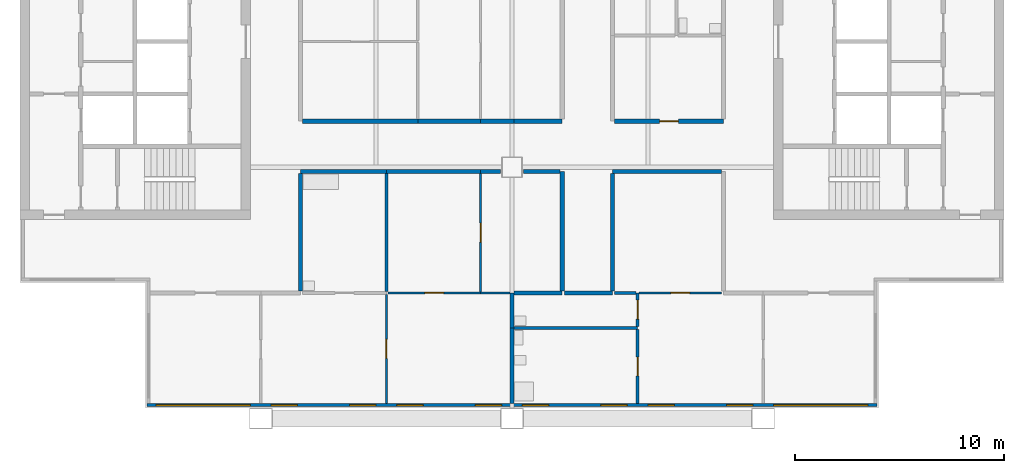
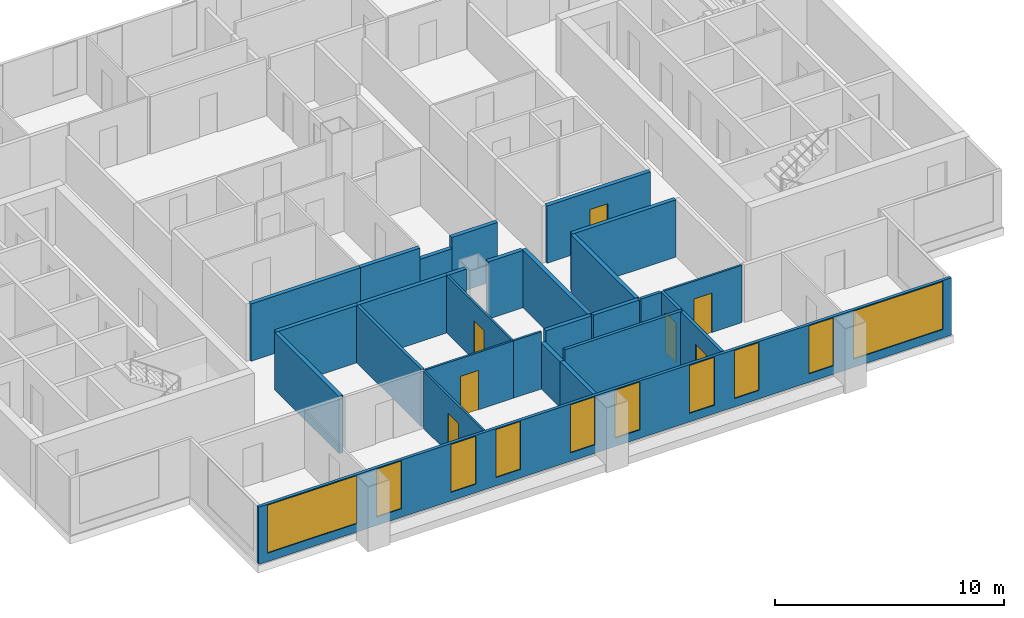
# One storey, part 2 of 9: 28 walls, 10 windows, 7 doors, 17 openings.
"""IFC4 building model written with IfcOpenShell, lengths in metres."""

from ifc_helpers import new_model, si_unit, direction, frame, frame_2d, origin, place, context, subcontext, project, spatial, rectangle, extrude, material, layer, layer_set, type_object, element, fill, save


model = new_model("IFC4")

# Units and contexts
model_context = context("Model", 3, precision=1e-05, world=origin(), true_north=direction((0.0, 1.0)))
body_context = subcontext(model_context, "Body", "Model", "MODEL_VIEW")
ifc_project = project(units=[si_unit("LENGTHUNIT", "METRE"), si_unit("AREAUNIT", "SQUARE_METRE"), si_unit("VOLUMEUNIT", "CUBIC_METRE"), si_unit("PLANEANGLEUNIT", "RADIAN"), si_unit("MASSUNIT", "GRAM", prefix="KILO")], contexts=[model_context])

# Site, building, storey
site_placement = place(None, origin())
site = spatial("IfcSite", under=ifc_project, at=site_placement, CompositionType="ELEMENT")
building_placement = place(site_placement, origin())
building = spatial("IfcBuilding", under=site, at=building_placement, Name="Kitamizu Gate Tower and Museum", CompositionType="ELEMENT")
storey_placement = place(building_placement, frame((0.0, 0.0, 221.39990234375)))
storey = spatial("IfcBuildingStorey", under=building, at=storey_placement, Name="L59", CompositionType="ELEMENT", Elevation=221.39990234375)

# Wall, opening, door
ifc_material_1 = material(Name="Gypsum board on galvanised stud")
ifc_layer_1 = layer(ifc_material_1, 0.10009765625)
ifc_layer_set_1 = layer_set([ifc_layer_1], Name="Gypsum board on galvanised stud")
wall_type_1 = type_object("IfcWallType", Name="Partition 100 NOT RATED", PredefinedType="PARTITIONING", material=ifc_layer_set_1)
wall_1_placement = place(storey_placement, frame((30.0, 12.719970703125, 0.0), z_axis=(0.0, 0.0, 1.0), x_axis=(0.0, 1.0, 0.0)))
wall_1 = element("IfcWall", 1, at=wall_1_placement, inside=storey, type_object=wall_type_1, Name="Partition L59-003", PredefinedType="PARTITIONING", context=body_context, shape_type="SweptSolid", body=[
    extrude(rectangle(XDim=5.205078125, YDim=0.10009765625, at=frame_2d((2.6025390625, 0.0))), origin(), (0.0, 0.0, 1.0), 3.050048828125),
])
opening_1_placement = place(wall_1_placement, frame((2.152587890625, 0.0, 0.0)))
opening_1 = element("IfcOpeningElement", 2, at=opening_1_placement, cuts=wall_1, Name="Opening L59-003", PredefinedType="OPENING", context=body_context, shape_type="SweptSolid", body=[
    extrude(rectangle(XDim=0.89990234375, YDim=2.10009765625, at=frame_2d((0.449951171875, 1.050048828125))), frame((0.0, 0.06005859375, 0.0), z_axis=(0.0, -1.0, 0.0), x_axis=(1.0, 0.0, 0.0)), (0.0, 0.0, 1.0), 0.1201171875),
])
ifc_material_2 = material(Name="Timber door set", Category="wood")
door_type_1 = type_object("IfcDoorType", Name="Room door 900", OperationType="NOTDEFINED", PredefinedType="DOOR", material=ifc_material_2)
door_1_placement = place(opening_1_placement, origin())
door_1 = element("IfcDoor", 3, at=door_1_placement, inside=storey, type_object=door_type_1, Name="Door L59-003", OperationType="SINGLE_SWING_RIGHT", OverallHeight=2.10009765625, OverallWidth=0.89990234375, PredefinedType="DOOR", context=body_context, shape_type="SweptSolid", body=[
    extrude(rectangle(XDim=0.89990234375, YDim=2.10009765625, at=frame_2d((0.449951171875, 1.050048828125))), frame((0.0, 0.02490234375, 0.0), z_axis=(0.0, -1.0, 0.0), x_axis=(1.0, 0.0, 0.0)), (0.0, 0.0, 1.0), 0.050048828125),
])
fill(opening_1, door_1)

wall_2_placement = place(storey_placement, frame((34.5, 18.0, 0.0), z_axis=(0.0, 0.0, 1.0), x_axis=(-1.0, 0.0, 0.0)))
wall_2 = element("IfcWall", 4, at=wall_2_placement, inside=storey, type_object=wall_type_1, Name="Partition L59-006", PredefinedType="PARTITIONING", context=body_context, shape_type="SweptSolid", body=[
    extrude(rectangle(XDim=4.425048828125, YDim=0.10009765625, at=frame_2d((2.21240234375, 0.0))), origin(), (0.0, 0.0, 1.0), 3.050048828125),
])
opening_2_placement = place(wall_2_placement, frame((1.762451171875, 0.0, 0.0)))
opening_2 = element("IfcOpeningElement", 5, at=opening_2_placement, cuts=wall_2, Name="Opening L59-005", PredefinedType="OPENING", context=body_context, shape_type="SweptSolid", body=[
    extrude(rectangle(XDim=0.89990234375, YDim=2.10009765625, at=frame_2d((0.449951171875, 1.050048828125))), frame((0.0, 0.06005859375, 0.0), z_axis=(0.0, -1.0, 0.0), x_axis=(1.0, 0.0, 0.0)), (0.0, 0.0, 1.0), 0.1201171875),
])
door_2_placement = place(opening_2_placement, frame((0.89990234375, 0.0, 0.0), x_axis=(-1.0, 0.0, 0.0)))
door_2 = element("IfcDoor", 6, at=door_2_placement, inside=storey, type_object=door_type_1, Name="Door L59-005", OperationType="SINGLE_SWING_LEFT", OverallHeight=2.10009765625, OverallWidth=0.89990234375, PredefinedType="DOOR", context=body_context, shape_type="SweptSolid", body=[
    extrude(rectangle(XDim=0.89990234375, YDim=2.10009765625, at=frame_2d((0.449951171875, 1.050048828125))), frame((0.0, 0.02490234375, 0.0), z_axis=(0.0, -1.0, 0.0), x_axis=(1.0, 0.0, 0.0)), (0.0, 0.0, 1.0), 0.050048828125),
])
fill(opening_2, door_2)

# Wall
wall_3_placement = place(storey_placement, frame((35.89990234375, 18.0, 0.0), z_axis=(0.0, 0.0, 1.0), x_axis=(-1.0, 0.0, 0.0)))
element("IfcWall", 7, at=wall_3_placement, inside=storey, type_object=wall_type_1, Name="Partition L59-007", PredefinedType="PARTITIONING", context=body_context, shape_type="SweptSolid", body=[
    extrude(rectangle(XDim=1.39990234375, YDim=0.10009765625, at=frame_2d((0.699951171875, 0.0))), origin(), (0.0, 0.0, 1.0), 3.050048828125),
])

# Wall, opening, door
wall_4_placement = place(storey_placement, frame((34.5, 18.050048828125, 0.0), z_axis=(0.0, 0.0, 1.0), x_axis=(0.0, 1.0, 0.0)))
wall_4 = element("IfcWall", 8, at=wall_4_placement, inside=storey, type_object=wall_type_1, Name="Partition L59-013", PredefinedType="PARTITIONING", context=body_context, shape_type="SweptSolid", body=[
    extrude(rectangle(XDim=5.64990234375, YDim=0.10009765625, at=frame_2d((2.824951171875, 0.0))), origin(), (0.0, 0.0, 1.0), 3.050048828125),
])
opening_3_placement = place(wall_4_placement, frame((2.375, 0.0, 0.0)))
opening_3 = element("IfcOpeningElement", 9, at=opening_3_placement, cuts=wall_4, Name="Opening L59-006", PredefinedType="OPENING", context=body_context, shape_type="SweptSolid", body=[
    extrude(rectangle(XDim=0.89990234375, YDim=2.10009765625, at=frame_2d((0.449951171875, 1.050048828125))), frame((0.0, 0.06005859375, 0.0), z_axis=(0.0, -1.0, 0.0), x_axis=(1.0, 0.0, 0.0)), (0.0, 0.0, 1.0), 0.1201171875),
])
door_3_placement = place(opening_3_placement, frame((0.89990234375, 0.0, 0.0), x_axis=(-1.0, 0.0, 0.0)))
door_3 = element("IfcDoor", 10, at=door_3_placement, inside=storey, type_object=door_type_1, Name="Door L59-006", OperationType="SINGLE_SWING_RIGHT", OverallHeight=2.10009765625, OverallWidth=0.89990234375, PredefinedType="DOOR", context=body_context, shape_type="SweptSolid", body=[
    extrude(rectangle(XDim=0.89990234375, YDim=2.10009765625, at=frame_2d((0.449951171875, 1.050048828125))), frame((0.0, 0.02490234375, 0.0), z_axis=(0.0, -1.0, 0.0), x_axis=(1.0, 0.0, 0.0)), (0.0, 0.0, 1.0), 0.050048828125),
])
fill(opening_3, door_3)

wall_5_placement = place(storey_placement, frame((46.0, 18.0, 0.0), z_axis=(0.0, 0.0, 1.0), x_axis=(-1.0, 0.0, 0.0)))
wall_5 = element("IfcWall", 11, at=wall_5_placement, inside=storey, type_object=wall_type_1, Name="Partition L59-025", PredefinedType="PARTITIONING", context=body_context, shape_type="SweptSolid", body=[
    extrude(rectangle(XDim=3.925048828125, YDim=0.10009765625, at=frame_2d((1.96240234375, 0.0))), origin(), (0.0, 0.0, 1.0), 3.050048828125),
])
opening_4_placement = place(wall_5_placement, frame((1.512451171875, 0.0, 0.0)))
opening_4 = element("IfcOpeningElement", 12, at=opening_4_placement, cuts=wall_5, Name="Opening L59-009", PredefinedType="OPENING", context=body_context, shape_type="SweptSolid", body=[
    extrude(rectangle(XDim=0.89990234375, YDim=2.10009765625, at=frame_2d((0.449951171875, 1.050048828125))), frame((0.0, 0.06005859375, 0.0), z_axis=(0.0, -1.0, 0.0), x_axis=(1.0, 0.0, 0.0)), (0.0, 0.0, 1.0), 0.1201171875),
])
door_4_placement = place(opening_4_placement, frame((0.89990234375, 0.0, 0.0), x_axis=(-1.0, 0.0, 0.0)))
door_4 = element("IfcDoor", 13, at=door_4_placement, inside=storey, type_object=door_type_1, Name="Door L59-009", OperationType="SINGLE_SWING_LEFT", OverallHeight=2.10009765625, OverallWidth=0.89990234375, PredefinedType="DOOR", context=body_context, shape_type="SweptSolid", body=[
    extrude(rectangle(XDim=0.89990234375, YDim=2.10009765625, at=frame_2d((0.449951171875, 1.050048828125))), frame((0.0, 0.02490234375, 0.0), z_axis=(0.0, -1.0, 0.0), x_axis=(1.0, 0.0, 0.0)), (0.0, 0.0, 1.0), 0.050048828125),
])
fill(opening_4, door_4)

# Walls
ifc_material_3 = material(Name="Gypsum board on galvanised stud")
ifc_layer_2 = layer(ifc_material_3, 0.14990234375)
ifc_layer_set_2 = layer_set([ifc_layer_2], Name="Gypsum board on galvanised stud")
wall_type_2 = type_object("IfcWallType", Name="Partition 150", PredefinedType="PARTITIONING", material=ifc_layer_set_2)
wall_6_placement = place(storey_placement, frame((30.0, 18.074951171875, 0.0), z_axis=(0.0, 0.0, 1.0), x_axis=(0.0, 1.0, 0.0)))
element("IfcWall", 14, at=wall_6_placement, inside=storey, type_object=wall_type_2, Name="Partition L59-010", PredefinedType="PARTITIONING", context=body_context, shape_type="SweptSolid", body=[
    extrude(rectangle(XDim=5.625, YDim=0.14990234375, at=frame_2d((2.8125, 0.0))), origin(), (0.0, 0.0, 1.0), 3.050048828125),
])
wall_7_placement = place(storey_placement, frame((42.0, 16.320068359375, 0.0), z_axis=(0.0, 0.0, 1.0), x_axis=(-1.0, 0.0, 0.0)))
element("IfcWall", 15, at=wall_7_placement, inside=storey, type_object=wall_type_2, Name="Partition L59-019", PredefinedType="PARTITIONING", context=body_context, shape_type="SweptSolid", body=[
    extrude(rectangle(XDim=5.89990234375, YDim=0.14990234375, at=frame_2d((2.949951171875, 0.0))), origin(), (0.0, 0.0, 1.0), 3.050048828125),
])

# Wall, opening, door
wall_8_placement = place(storey_placement, frame((42.0, 12.719970703125, 0.0), z_axis=(0.0, 0.0, 1.0), x_axis=(0.0, 1.0, 0.0)))
wall_8 = element("IfcWall", 16, at=wall_8_placement, inside=storey, type_object=wall_type_2, Name="Partition L59-020", PredefinedType="PARTITIONING", context=body_context, shape_type="SweptSolid", body=[
    extrude(rectangle(XDim=3.525146484375, YDim=0.14990234375, at=frame_2d((1.7626953125, 0.0))), origin(), (0.0, 0.0, 1.0), 3.050048828125),
])
opening_5_placement = place(wall_8_placement, frame((1.3125, 0.0, 0.0)))
opening_5 = element("IfcOpeningElement", 17, at=opening_5_placement, cuts=wall_8, Name="Opening L59-010", PredefinedType="OPENING", context=body_context, shape_type="SweptSolid", body=[
    extrude(rectangle(XDim=0.89990234375, YDim=2.10009765625, at=frame_2d((0.449951171875, 1.050048828125))), frame((0.0, 0.0849609375, 0.0), z_axis=(0.0, -1.0, 0.0), x_axis=(1.0, 0.0, 0.0)), (0.0, 0.0, 1.0), 0.169921875),
])
ifc_material_4 = material(Name="Timber door set", Category="wood")
door_type_2 = type_object("IfcDoorType", Name="Bathroom door 900", OperationType="NOTDEFINED", PredefinedType="DOOR", material=ifc_material_4)
door_5_placement = place(opening_5_placement, origin())
door_5 = element("IfcDoor", 18, at=door_5_placement, inside=storey, type_object=door_type_2, Name="Bathroom door L59-010", OperationType="SINGLE_SWING_LEFT", OverallHeight=2.10009765625, OverallWidth=0.89990234375, PredefinedType="DOOR", context=body_context, shape_type="SweptSolid", body=[
    extrude(rectangle(XDim=0.89990234375, YDim=2.10009765625, at=frame_2d((0.449951171875, 1.050048828125))), frame((0.0, 0.02490234375, 0.0), z_axis=(0.0, -1.0, 0.0), x_axis=(1.0, 0.0, 0.0)), (0.0, 0.0, 1.0), 0.050048828125),
])
fill(opening_5, door_5)

wall_9_placement = place(storey_placement, frame((42.0, 16.39501953125, 0.0), z_axis=(0.0, 0.0, 1.0), x_axis=(0.0, 1.0, 0.0)))
wall_9 = element("IfcWall", 19, at=wall_9_placement, inside=storey, type_object=wall_type_2, Name="Partition L59-021", PredefinedType="PARTITIONING", context=body_context, shape_type="SweptSolid", body=[
    extrude(rectangle(XDim=1.60498046875, YDim=0.14990234375, at=frame_2d((0.802490234375, 0.0))), origin(), (0.0, 0.0, 1.0), 3.050048828125),
])
opening_6_placement = place(wall_9_placement, frame((0.3525390625, 0.0, 0.0)))
opening_6 = element("IfcOpeningElement", 20, at=opening_6_placement, cuts=wall_9, Name="Opening L59-011", PredefinedType="OPENING", context=body_context, shape_type="SweptSolid", body=[
    extrude(rectangle(XDim=0.89990234375, YDim=2.10009765625, at=frame_2d((0.449951171875, 1.050048828125))), frame((0.0, 0.0849609375, 0.0), z_axis=(0.0, -1.0, 0.0), x_axis=(1.0, 0.0, 0.0)), (0.0, 0.0, 1.0), 0.169921875),
])
door_6_placement = place(opening_6_placement, origin())
door_6 = element("IfcDoor", 21, at=door_6_placement, inside=storey, type_object=door_type_2, Name="Bathroom door L59-011", OperationType="SINGLE_SWING_RIGHT", OverallHeight=2.10009765625, OverallWidth=0.89990234375, PredefinedType="DOOR", context=body_context, shape_type="SweptSolid", body=[
    extrude(rectangle(XDim=0.89990234375, YDim=2.10009765625, at=frame_2d((0.449951171875, 1.050048828125))), frame((0.0, 0.02490234375, 0.0), z_axis=(0.0, -1.0, 0.0), x_axis=(1.0, 0.0, 0.0)), (0.0, 0.0, 1.0), 0.050048828125),
])
fill(opening_6, door_6)

# Walls
wall_10_placement = place(storey_placement, frame((41.925048828125, 18.0, 0.0), z_axis=(0.0, 0.0, 1.0), x_axis=(-1.0, 0.0, 0.0)))
element("IfcWall", 22, at=wall_10_placement, inside=storey, type_object=wall_type_2, Name="Partition L59-022", PredefinedType="PARTITIONING", context=body_context, shape_type="SweptSolid", body=[
    extrude(rectangle(XDim=1.025146484375, YDim=0.14990234375, at=frame_2d((0.5126953125, 0.0))), origin(), (0.0, 0.0, 1.0), 3.050048828125),
])
ifc_material_5 = material(Name="Gypsum board on galvanised stud")
ifc_layer_3 = layer(ifc_material_5, 0.199951171875)
ifc_layer_set_3 = layer_set([ifc_layer_3], Name="Gypsum board on galvanised stud")
wall_type_3 = type_object("IfcWallType", Name="Partition 200", PredefinedType="PARTITIONING", material=ifc_layer_set_3)
wall_11_placement = place(storey_placement, frame((36.0, 12.719970703125, 0.0), z_axis=(0.0, 0.0, 1.0), x_axis=(0.0, 1.0, 0.0)))
element("IfcWall", 23, at=wall_11_placement, inside=storey, type_object=wall_type_3, Name="Partition L59-008", PredefinedType="PARTITIONING", context=body_context, shape_type="SweptSolid", body=[
    extrude(rectangle(XDim=3.60009765625, YDim=0.199951171875, at=frame_2d((1.800048828125, 0.0))), origin(), (0.0, 0.0, 1.0), 2.4501953125),
])
wall_12_placement = place(storey_placement, frame((36.0, 16.320068359375, 0.0), z_axis=(0.0, 0.0, 1.0), x_axis=(0.0, 1.0, 0.0)))
element("IfcWall", 24, at=wall_12_placement, inside=storey, type_object=wall_type_3, Name="Partition L59-009", PredefinedType="PARTITIONING", context=body_context, shape_type="SweptSolid", body=[
    extrude(rectangle(XDim=1.679931640625, YDim=0.199951171875, at=frame_2d((0.83984375, 0.0))), origin(), (0.0, 0.0, 1.0), 2.4501953125),
])
wall_13_placement = place(storey_placement, frame((30.0, 23.800048828125, 0.0), z_axis=(0.0, 0.0, 1.0), x_axis=(-1.0, 0.0, 0.0)))
element("IfcWall", 25, at=wall_13_placement, inside=storey, type_object=wall_type_3, Name="Partition L59-011", PredefinedType="PARTITIONING", context=body_context, shape_type="SweptSolid", body=[
    extrude(rectangle(XDim=4.10009765625, YDim=0.199951171875, at=frame_2d((2.050048828125, 0.0))), origin(), (0.0, 0.0, 1.0), 3.050048828125),
])
wall_14_placement = place(storey_placement, frame((25.89990234375, 23.699951171875, 0.0), z_axis=(0.0, 0.0, 1.0), x_axis=(0.0, -1.0, 0.0)))
element("IfcWall", 26, at=wall_14_placement, inside=storey, type_object=wall_type_3, Name="Partition L59-012", PredefinedType="PARTITIONING", context=body_context, shape_type="SweptSolid", body=[
    extrude(rectangle(XDim=5.599853515625, YDim=0.199951171875, at=frame_2d((2.7998046875, 0.0))), origin(), (0.0, 0.0, 1.0), 3.050048828125),
])
wall_15_placement = place(storey_placement, frame((34.5, 23.800048828125, 0.0), z_axis=(0.0, 0.0, 1.0), x_axis=(-1.0, 0.0, 0.0)))
element("IfcWall", 27, at=wall_15_placement, inside=storey, type_object=wall_type_3, Name="Partition L59-014", PredefinedType="PARTITIONING", context=body_context, shape_type="SweptSolid", body=[
    extrude(rectangle(XDim=4.5, YDim=0.199951171875, at=frame_2d((2.25, 0.0))), origin(), (0.0, 0.0, 1.0), 3.050048828125),
])
wall_16_placement = place(storey_placement, frame((36.10009765625, 18.0, 0.0), z_axis=(0.0, 0.0, 1.0), x_axis=(1.0, 0.0, 0.0)))
element("IfcWall", 28, at=wall_16_placement, inside=storey, type_object=wall_type_3, Name="Partition L59-015", PredefinedType="PARTITIONING", context=body_context, shape_type="SweptSolid", body=[
    extrude(rectangle(XDim=2.2998046875, YDim=0.199951171875, at=frame_2d((1.14990234375, 0.0))), origin(), (0.0, 0.0, 1.0), 3.050048828125),
])
wall_17_placement = place(storey_placement, frame((35.449951171875, 23.800048828125, 0.0), z_axis=(0.0, 0.0, 1.0), x_axis=(-1.0, 0.0, 0.0)))
element("IfcWall", 29, at=wall_17_placement, inside=storey, type_object=wall_type_3, Name="Partition L59-016", PredefinedType="PARTITIONING", context=body_context, shape_type="SweptSolid", body=[
    extrude(rectangle(XDim=0.949951171875, YDim=0.199951171875, at=frame_2d((0.47509765625, 0.0))), origin(), (0.0, 0.0, 1.0), 3.050048828125),
])
wall_18_placement = place(storey_placement, frame((38.39990234375, 18.10009765625, 0.0), z_axis=(0.0, 0.0, 1.0), x_axis=(0.0, 1.0, 0.0)))
element("IfcWall", 30, at=wall_18_placement, inside=storey, type_object=wall_type_3, Name="Partition L59-017", PredefinedType="PARTITIONING", context=body_context, shape_type="SweptSolid", body=[
    extrude(rectangle(XDim=5.699951171875, YDim=0.199951171875, at=frame_2d((2.85009765625, 0.0))), origin(), (0.0, 0.0, 1.0), 3.050048828125),
])
wall_19_placement = place(storey_placement, frame((38.300048828125, 23.800048828125, 0.0), z_axis=(0.0, 0.0, 1.0), x_axis=(-1.0, 0.0, 0.0)))
element("IfcWall", 31, at=wall_19_placement, inside=storey, type_object=wall_type_3, Name="Partition L59-018", PredefinedType="PARTITIONING", context=body_context, shape_type="SweptSolid", body=[
    extrude(rectangle(XDim=1.75, YDim=0.199951171875, at=frame_2d((0.875, 0.0))), origin(), (0.0, 0.0, 1.0), 3.050048828125),
])
wall_20_placement = place(storey_placement, frame((40.800048828125, 18.0, 0.0), z_axis=(0.0, 0.0, 1.0), x_axis=(-1.0, 0.0, 0.0)))
element("IfcWall", 32, at=wall_20_placement, inside=storey, type_object=wall_type_3, Name="Partition L59-023", PredefinedType="PARTITIONING", context=body_context, shape_type="SweptSolid", body=[
    extrude(rectangle(XDim=2.300048828125, YDim=0.199951171875, at=frame_2d((1.14990234375, 0.0))), origin(), (0.0, 0.0, 1.0), 3.050048828125),
])
wall_21_placement = place(storey_placement, frame((46.0, 23.800048828125, 0.0), z_axis=(0.0, 0.0, 1.0), x_axis=(-1.0, 0.0, 0.0)))
element("IfcWall", 33, at=wall_21_placement, inside=storey, type_object=wall_type_3, Name="Partition L59-029", PredefinedType="PARTITIONING", context=body_context, shape_type="SweptSolid", body=[
    extrude(rectangle(XDim=5.199951171875, YDim=0.199951171875, at=frame_2d((2.60009765625, 0.0))), origin(), (0.0, 0.0, 1.0), 3.050048828125),
])
wall_22_placement = place(storey_placement, frame((40.800048828125, 23.699951171875, 0.0), z_axis=(0.0, 0.0, 1.0), x_axis=(0.0, -1.0, 0.0)))
element("IfcWall", 34, at=wall_22_placement, inside=storey, type_object=wall_type_3, Name="Partition L59-030", PredefinedType="PARTITIONING", context=body_context, shape_type="SweptSolid", body=[
    extrude(rectangle(XDim=5.599853515625, YDim=0.199951171875, at=frame_2d((2.7998046875, 0.0))), origin(), (0.0, 0.0, 1.0), 3.050048828125),
])
wall_23_placement = place(storey_placement, frame((26.0, 26.199951171875, 0.0), z_axis=(0.0, 0.0, 1.0), x_axis=(1.0, 0.0, 0.0)))
element("IfcWall", 35, at=wall_23_placement, inside=storey, type_object=wall_type_3, Name="Partition L59-063", PredefinedType="PARTITIONING", context=body_context, shape_type="SweptSolid", body=[
    extrude(rectangle(XDim=5.5, YDim=0.199951171875, at=frame_2d((2.75, 0.0))), origin(), (0.0, 0.0, 1.0), 3.050048828125),
])
wall_24_placement = place(storey_placement, frame((31.5, 26.199951171875, 0.0), z_axis=(0.0, 0.0, 1.0), x_axis=(1.0, 0.0, 0.0)))
element("IfcWall", 36, at=wall_24_placement, inside=storey, type_object=wall_type_3, Name="Partition L59-067", PredefinedType="PARTITIONING", context=body_context, shape_type="SweptSolid", body=[
    extrude(rectangle(XDim=3.0, YDim=0.199951171875, at=frame_2d((1.5, 0.0))), origin(), (0.0, 0.0, 1.0), 3.050048828125),
])
wall_25_placement = place(storey_placement, frame((34.5, 26.199951171875, 0.0), z_axis=(0.0, 0.0, 1.0), x_axis=(1.0, 0.0, 0.0)))
element("IfcWall", 37, at=wall_25_placement, inside=storey, type_object=wall_type_3, Name="Partition L59-068", PredefinedType="PARTITIONING", context=body_context, shape_type="SweptSolid", body=[
    extrude(rectangle(XDim=1.60009765625, YDim=0.199951171875, at=frame_2d((0.800048828125, 0.0))), origin(), (0.0, 0.0, 1.0), 2.4501953125),
])
wall_26_placement = place(storey_placement, frame((36.10009765625, 26.199951171875, 0.0), z_axis=(0.0, 0.0, 1.0), x_axis=(1.0, 0.0, 0.0)))
element("IfcWall", 38, at=wall_26_placement, inside=storey, type_object=wall_type_3, Name="Partition L59-069", PredefinedType="PARTITIONING", context=body_context, shape_type="SweptSolid", body=[
    extrude(rectangle(XDim=2.2998046875, YDim=0.199951171875, at=frame_2d((1.14990234375, 0.0))), origin(), (0.0, 0.0, 1.0), 3.050048828125),
])

# Wall, opening, door
wall_27_placement = place(storey_placement, frame((40.89990234375, 26.199951171875, 0.0), z_axis=(0.0, 0.0, 1.0), x_axis=(1.0, 0.0, 0.0)))
wall_27 = element("IfcWall", 39, at=wall_27_placement, inside=storey, type_object=wall_type_3, Name="Partition L59-093", PredefinedType="PARTITIONING", context=body_context, shape_type="SweptSolid", body=[
    extrude(rectangle(XDim=5.2001953125, YDim=0.199951171875, at=frame_2d((2.60009765625, 0.0))), origin(), (0.0, 0.0, 1.0), 3.050048828125),
])
opening_7_placement = place(wall_27_placement, frame((2.14990234375, 0.0, 0.0)))
opening_7 = element("IfcOpeningElement", 40, at=opening_7_placement, cuts=wall_27, Name="Opening L59-033", PredefinedType="OPENING", context=body_context, shape_type="SweptSolid", body=[
    extrude(rectangle(XDim=0.89990234375, YDim=2.10009765625, at=frame_2d((0.449951171875, 1.050048828125))), frame((0.0, 0.10986328125, 0.0), z_axis=(0.0, -1.0, 0.0), x_axis=(1.0, 0.0, 0.0)), (0.0, 0.0, 1.0), 0.219970703125),
])
ifc_material_6 = material(Name="Timber door set", Category="wood")
door_type_3 = type_object("IfcDoorType", Name="Store door 900", OperationType="NOTDEFINED", PredefinedType="DOOR", material=ifc_material_6)
door_7_placement = place(opening_7_placement, origin())
door_7 = element("IfcDoor", 41, at=door_7_placement, inside=storey, type_object=door_type_3, Name="Service entrance door L59-033", OperationType="SINGLE_SWING_LEFT", OverallHeight=2.10009765625, OverallWidth=0.89990234375, PredefinedType="DOOR", context=body_context, shape_type="SweptSolid", body=[
    extrude(rectangle(XDim=0.89990234375, YDim=2.10009765625, at=frame_2d((0.449951171875, 1.050048828125))), frame((0.0, 0.02490234375, 0.0), z_axis=(0.0, -1.0, 0.0), x_axis=(1.0, 0.0, 0.0)), (0.0, 0.0, 1.0), 0.050048828125),
])
fill(opening_7, door_7)

# Wall, openings, windows
ifc_material_7 = material(Name="Bronze anodised aluminium frame with insulated spandrel and tinted glass", Category="aluminium")
ifc_layer_4 = layer(ifc_material_7, 0.14990234375)
ifc_layer_set_4 = layer_set([ifc_layer_4], Name="Bronze anodised aluminium frame with insulated spandrel and tinted glass")
wall_type_4 = type_object("IfcWallType", Name="WINDOW WALL 150 BRONZE FRAME EI 30", PredefinedType="ELEMENTEDWALL", material=ifc_layer_set_4)
wall_28_placement = place(storey_placement, frame((18.56005859375, 12.635009765625, 0.0), z_axis=(0.0, 0.0, 1.0), x_axis=(1.0, 0.0, 0.0)))
wall_28 = element("IfcWall", 42, at=wall_28_placement, inside=storey, type_object=wall_type_4, Name="Window wall south L59", PredefinedType="ELEMENTEDWALL", context=body_context, shape_type="SweptSolid", body=[
    extrude(rectangle(XDim=34.8798828125, YDim=0.14990234375, at=frame_2d((17.43994140625, 0.0))), origin(), (0.0, 0.0, 1.0), 3.050048828125),
])
opening_8_placement = place(wall_28_placement, frame((0.43994140625, 0.0, 0.449951171875)))
opening_8 = element("IfcOpeningElement", 43, at=opening_8_placement, cuts=wall_28, Name="Opening W15", PredefinedType="OPENING", context=body_context, shape_type="SweptSolid", body=[
    extrude(rectangle(XDim=4.5, YDim=2.550048828125, at=frame_2d((2.25, 1.27490234375))), frame((0.0, 0.0849609375, 0.0), z_axis=(0.0, -1.0, 0.0), x_axis=(1.0, 0.0, 0.0)), (0.0, 0.0, 1.0), 0.169921875),
])
opening_9_placement = place(wall_28_placement, frame((5.93994140625, 0.0, 0.449951171875)))
opening_9 = element("IfcOpeningElement", 44, at=opening_9_placement, cuts=wall_28, Name="Opening W27", PredefinedType="OPENING", context=body_context, shape_type="SweptSolid", body=[
    extrude(rectangle(XDim=1.25, YDim=2.550048828125, at=frame_2d((0.625, 1.27490234375))), frame((0.0, 0.0849609375, 0.0), z_axis=(0.0, -1.0, 0.0), x_axis=(1.0, 0.0, 0.0)), (0.0, 0.0, 1.0), 0.169921875),
])
opening_10_placement = place(wall_28_placement, frame((9.68994140625, 0.0, 0.449951171875)))
opening_10 = element("IfcOpeningElement", 45, at=opening_10_placement, cuts=wall_28, Name="Opening W27", PredefinedType="OPENING", context=body_context, shape_type="SweptSolid", body=[
    extrude(rectangle(XDim=1.25, YDim=2.550048828125, at=frame_2d((0.625, 1.27490234375))), frame((0.0, 0.0849609375, 0.0), z_axis=(0.0, -1.0, 0.0), x_axis=(1.0, 0.0, 0.0)), (0.0, 0.0, 1.0), 0.169921875),
])
opening_11_placement = place(wall_28_placement, frame((11.93994140625, 0.0, 0.449951171875)))
opening_11 = element("IfcOpeningElement", 46, at=opening_11_placement, cuts=wall_28, Name="Opening W27", PredefinedType="OPENING", context=body_context, shape_type="SweptSolid", body=[
    extrude(rectangle(XDim=1.25, YDim=2.550048828125, at=frame_2d((0.625, 1.27490234375))), frame((0.0, 0.0849609375, 0.0), z_axis=(0.0, -1.0, 0.0), x_axis=(1.0, 0.0, 0.0)), (0.0, 0.0, 1.0), 0.169921875),
])
opening_12_placement = place(wall_28_placement, frame((15.68994140625, 0.0, 0.449951171875)))
opening_12 = element("IfcOpeningElement", 47, at=opening_12_placement, cuts=wall_28, Name="Opening W27", PredefinedType="OPENING", context=body_context, shape_type="SweptSolid", body=[
    extrude(rectangle(XDim=1.25, YDim=2.550048828125, at=frame_2d((0.625, 1.27490234375))), frame((0.0, 0.0849609375, 0.0), z_axis=(0.0, -1.0, 0.0), x_axis=(1.0, 0.0, 0.0)), (0.0, 0.0, 1.0), 0.169921875),
])
opening_13_placement = place(wall_28_placement, frame((17.93994140625, 0.0, 0.449951171875)))
opening_13 = element("IfcOpeningElement", 48, at=opening_13_placement, cuts=wall_28, Name="Opening W27", PredefinedType="OPENING", context=body_context, shape_type="SweptSolid", body=[
    extrude(rectangle(XDim=1.25, YDim=2.550048828125, at=frame_2d((0.625, 1.27490234375))), frame((0.0, 0.0849609375, 0.0), z_axis=(0.0, -1.0, 0.0), x_axis=(1.0, 0.0, 0.0)), (0.0, 0.0, 1.0), 0.169921875),
])
opening_14_placement = place(wall_28_placement, frame((21.68994140625, 0.0, 0.449951171875)))
opening_14 = element("IfcOpeningElement", 49, at=opening_14_placement, cuts=wall_28, Name="Opening W27", PredefinedType="OPENING", context=body_context, shape_type="SweptSolid", body=[
    extrude(rectangle(XDim=1.25, YDim=2.550048828125, at=frame_2d((0.625, 1.27490234375))), frame((0.0, 0.0849609375, 0.0), z_axis=(0.0, -1.0, 0.0), x_axis=(1.0, 0.0, 0.0)), (0.0, 0.0, 1.0), 0.169921875),
])
opening_15_placement = place(wall_28_placement, frame((23.93994140625, 0.0, 0.449951171875)))
opening_15 = element("IfcOpeningElement", 50, at=opening_15_placement, cuts=wall_28, Name="Opening W27", PredefinedType="OPENING", context=body_context, shape_type="SweptSolid", body=[
    extrude(rectangle(XDim=1.25, YDim=2.550048828125, at=frame_2d((0.625, 1.27490234375))), frame((0.0, 0.0849609375, 0.0), z_axis=(0.0, -1.0, 0.0), x_axis=(1.0, 0.0, 0.0)), (0.0, 0.0, 1.0), 0.169921875),
])
opening_16_placement = place(wall_28_placement, frame((27.68994140625, 0.0, 0.449951171875)))
opening_16 = element("IfcOpeningElement", 51, at=opening_16_placement, cuts=wall_28, Name="Opening W27", PredefinedType="OPENING", context=body_context, shape_type="SweptSolid", body=[
    extrude(rectangle(XDim=1.25, YDim=2.550048828125, at=frame_2d((0.625, 1.27490234375))), frame((0.0, 0.0849609375, 0.0), z_axis=(0.0, -1.0, 0.0), x_axis=(1.0, 0.0, 0.0)), (0.0, 0.0, 1.0), 0.169921875),
])
opening_17_placement = place(wall_28_placement, frame((29.93994140625, 0.0, 0.449951171875)))
opening_17 = element("IfcOpeningElement", 52, at=opening_17_placement, cuts=wall_28, Name="Opening W15", PredefinedType="OPENING", context=body_context, shape_type="SweptSolid", body=[
    extrude(rectangle(XDim=4.5, YDim=2.550048828125, at=frame_2d((2.25, 1.27490234375))), frame((0.0, 0.0849609375, 0.0), z_axis=(0.0, -1.0, 0.0), x_axis=(1.0, 0.0, 0.0)), (0.0, 0.0, 1.0), 0.169921875),
])
ifc_material_8 = material(Name="Bronze anodised aluminium frame, tinted triple glazing", Category="aluminium")
window_type_1 = type_object("IfcWindowType", Name="WINDOW 1250 x 2550 SILL 450", PartitioningType="SINGLE_PANEL", PredefinedType="WINDOW", material=ifc_material_8)
window_1_placement = place(opening_9_placement, origin())
window_1 = element("IfcWindow", 53, at=window_1_placement, inside=storey, type_object=window_type_1, Name="Window W27 L59", OverallHeight=2.550048828125, OverallWidth=1.25, PartitioningType="SINGLE_PANEL", PredefinedType="WINDOW", context=body_context, shape_type="SweptSolid", body=[
    extrude(rectangle(XDim=1.25, YDim=2.550048828125, at=frame_2d((0.625, 1.27490234375))), frame((0.0, 0.030029296875, 0.0), z_axis=(0.0, -1.0, 0.0), x_axis=(1.0, 0.0, 0.0)), (0.0, 0.0, 1.0), 0.06005859375),
])
fill(opening_9, window_1)
window_2_placement = place(opening_10_placement, origin())
window_2 = element("IfcWindow", 54, at=window_2_placement, inside=storey, type_object=window_type_1, Name="Window W27 L59", OverallHeight=2.550048828125, OverallWidth=1.25, PartitioningType="SINGLE_PANEL", PredefinedType="WINDOW", context=body_context, shape_type="SweptSolid", body=[
    extrude(rectangle(XDim=1.25, YDim=2.550048828125, at=frame_2d((0.625, 1.27490234375))), frame((0.0, 0.030029296875, 0.0), z_axis=(0.0, -1.0, 0.0), x_axis=(1.0, 0.0, 0.0)), (0.0, 0.0, 1.0), 0.06005859375),
])
fill(opening_10, window_2)
window_3_placement = place(opening_11_placement, origin())
window_3 = element("IfcWindow", 55, at=window_3_placement, inside=storey, type_object=window_type_1, Name="Window W27 L59", OverallHeight=2.550048828125, OverallWidth=1.25, PartitioningType="SINGLE_PANEL", PredefinedType="WINDOW", context=body_context, shape_type="SweptSolid", body=[
    extrude(rectangle(XDim=1.25, YDim=2.550048828125, at=frame_2d((0.625, 1.27490234375))), frame((0.0, 0.030029296875, 0.0), z_axis=(0.0, -1.0, 0.0), x_axis=(1.0, 0.0, 0.0)), (0.0, 0.0, 1.0), 0.06005859375),
])
fill(opening_11, window_3)
window_4_placement = place(opening_12_placement, origin())
window_4 = element("IfcWindow", 56, at=window_4_placement, inside=storey, type_object=window_type_1, Name="Window W27 L59", OverallHeight=2.550048828125, OverallWidth=1.25, PartitioningType="SINGLE_PANEL", PredefinedType="WINDOW", context=body_context, shape_type="SweptSolid", body=[
    extrude(rectangle(XDim=1.25, YDim=2.550048828125, at=frame_2d((0.625, 1.27490234375))), frame((0.0, 0.030029296875, 0.0), z_axis=(0.0, -1.0, 0.0), x_axis=(1.0, 0.0, 0.0)), (0.0, 0.0, 1.0), 0.06005859375),
])
fill(opening_12, window_4)
window_5_placement = place(opening_13_placement, origin())
window_5 = element("IfcWindow", 57, at=window_5_placement, inside=storey, type_object=window_type_1, Name="Window W27 L59", OverallHeight=2.550048828125, OverallWidth=1.25, PartitioningType="SINGLE_PANEL", PredefinedType="WINDOW", context=body_context, shape_type="SweptSolid", body=[
    extrude(rectangle(XDim=1.25, YDim=2.550048828125, at=frame_2d((0.625, 1.27490234375))), frame((0.0, 0.030029296875, 0.0), z_axis=(0.0, -1.0, 0.0), x_axis=(1.0, 0.0, 0.0)), (0.0, 0.0, 1.0), 0.06005859375),
])
fill(opening_13, window_5)
window_6_placement = place(opening_14_placement, origin())
window_6 = element("IfcWindow", 58, at=window_6_placement, inside=storey, type_object=window_type_1, Name="Window W27 L59", OverallHeight=2.550048828125, OverallWidth=1.25, PartitioningType="SINGLE_PANEL", PredefinedType="WINDOW", context=body_context, shape_type="SweptSolid", body=[
    extrude(rectangle(XDim=1.25, YDim=2.550048828125, at=frame_2d((0.625, 1.27490234375))), frame((0.0, 0.030029296875, 0.0), z_axis=(0.0, -1.0, 0.0), x_axis=(1.0, 0.0, 0.0)), (0.0, 0.0, 1.0), 0.06005859375),
])
fill(opening_14, window_6)
window_7_placement = place(opening_15_placement, origin())
window_7 = element("IfcWindow", 59, at=window_7_placement, inside=storey, type_object=window_type_1, Name="Window W27 L59", OverallHeight=2.550048828125, OverallWidth=1.25, PartitioningType="SINGLE_PANEL", PredefinedType="WINDOW", context=body_context, shape_type="SweptSolid", body=[
    extrude(rectangle(XDim=1.25, YDim=2.550048828125, at=frame_2d((0.625, 1.27490234375))), frame((0.0, 0.030029296875, 0.0), z_axis=(0.0, -1.0, 0.0), x_axis=(1.0, 0.0, 0.0)), (0.0, 0.0, 1.0), 0.06005859375),
])
fill(opening_15, window_7)
window_8_placement = place(opening_16_placement, origin())
window_8 = element("IfcWindow", 60, at=window_8_placement, inside=storey, type_object=window_type_1, Name="Window W27 L59", OverallHeight=2.550048828125, OverallWidth=1.25, PartitioningType="SINGLE_PANEL", PredefinedType="WINDOW", context=body_context, shape_type="SweptSolid", body=[
    extrude(rectangle(XDim=1.25, YDim=2.550048828125, at=frame_2d((0.625, 1.27490234375))), frame((0.0, 0.030029296875, 0.0), z_axis=(0.0, -1.0, 0.0), x_axis=(1.0, 0.0, 0.0)), (0.0, 0.0, 1.0), 0.06005859375),
])
fill(opening_16, window_8)
ifc_material_9 = material(Name="Bronze anodised aluminium frame, tinted triple glazing", Category="aluminium")
window_type_2 = type_object("IfcWindowType", Name="WINDOW 4500 x 2550 SILL 450", PartitioningType="SINGLE_PANEL", PredefinedType="WINDOW", material=ifc_material_9)
window_9_placement = place(opening_8_placement, origin())
window_9 = element("IfcWindow", 61, at=window_9_placement, inside=storey, type_object=window_type_2, Name="Window W15 L59", OverallHeight=2.550048828125, OverallWidth=4.5, PartitioningType="SINGLE_PANEL", PredefinedType="WINDOW", context=body_context, shape_type="SweptSolid", body=[
    extrude(rectangle(XDim=4.5, YDim=2.550048828125, at=frame_2d((2.25, 1.27490234375))), frame((0.0, 0.030029296875, 0.0), z_axis=(0.0, -1.0, 0.0), x_axis=(1.0, 0.0, 0.0)), (0.0, 0.0, 1.0), 0.06005859375),
])
fill(opening_8, window_9)
window_10_placement = place(opening_17_placement, origin())
window_10 = element("IfcWindow", 62, at=window_10_placement, inside=storey, type_object=window_type_2, Name="Window W15 L59", OverallHeight=2.550048828125, OverallWidth=4.5, PartitioningType="SINGLE_PANEL", PredefinedType="WINDOW", context=body_context, shape_type="SweptSolid", body=[
    extrude(rectangle(XDim=4.5, YDim=2.550048828125, at=frame_2d((2.25, 1.27490234375))), frame((0.0, 0.030029296875, 0.0), z_axis=(0.0, -1.0, 0.0), x_axis=(1.0, 0.0, 0.0)), (0.0, 0.0, 1.0), 0.06005859375),
])
fill(opening_17, window_10)

save(model, "model.ifc")
